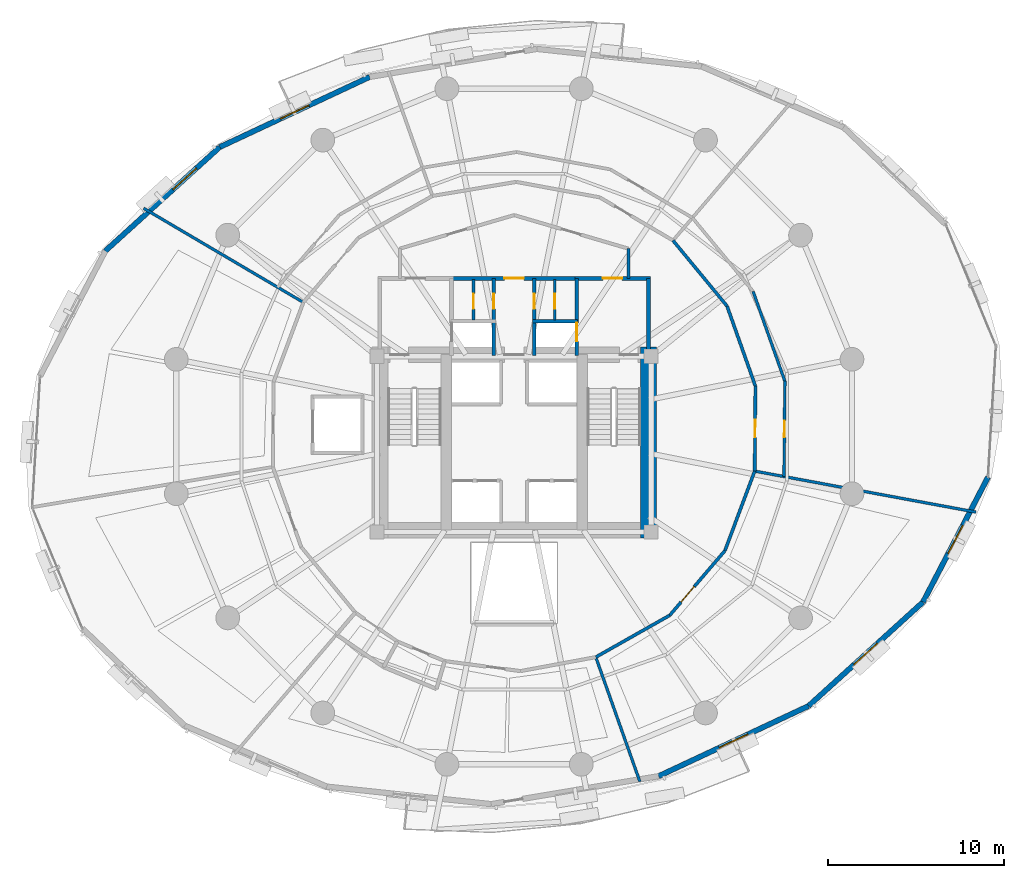
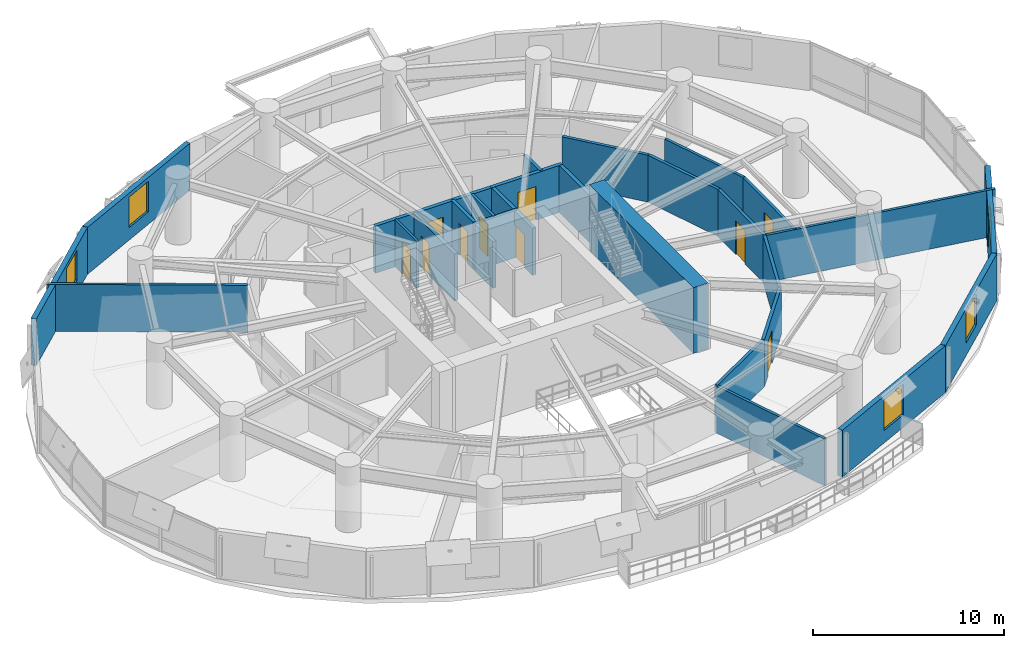
# One storey, part 13 of 17: 27 walls, 10 doors, 5 windows, 15 openings.
"""IFC4 building model written with IfcOpenShell, lengths in metres."""

from ifc_helpers import new_model, si_unit, direction, frame, frame_2d, origin, place, context, subcontext, project, spatial, rectangle, extrude, material, layer, layer_set, type_object, element, fill, save


model = new_model("IFC4")

# Units and contexts
model_context = context("Model", 3, precision=1e-05, world=origin(), true_north=direction((0.0, 1.0)))
body_context = subcontext(model_context, "Body", "Model", "MODEL_VIEW")
ifc_project = project(units=[si_unit("LENGTHUNIT", "METRE"), si_unit("AREAUNIT", "SQUARE_METRE"), si_unit("VOLUMEUNIT", "CUBIC_METRE"), si_unit("PLANEANGLEUNIT", "RADIAN"), si_unit("MASSUNIT", "GRAM", prefix="KILO"), si_unit("THERMODYNAMICTEMPERATUREUNIT", "KELVIN"), si_unit("POWERUNIT", "WATT")], contexts=[model_context])

# Site, building, storey
site_placement = place(None, origin())
site = spatial("IfcSite", under=ifc_project, at=site_placement, CompositionType="ELEMENT")
building_placement = place(site_placement, origin())
building = spatial("IfcBuilding", under=site, at=building_placement, Name="Ocrelia Relay Tower", CompositionType="ELEMENT")
storey_placement = place(building_placement, frame((0.0, 0.0, 72.0)))
storey = spatial("IfcBuildingStorey", under=building, at=storey_placement, Name="L16", CompositionType="ELEMENT", Elevation=72.0)

# Walls
ifc_material_1 = material(Name="Concrete C70/85", Category="concrete")
ifc_layer_1 = layer(ifc_material_1, 0.89990234375, Name="Concrete C70/85")
ifc_layer_set_1 = layer_set([ifc_layer_1], Name="Concrete C70/85")
wall_type_1 = type_object("IfcWallType", Name="CW-CORE-900", PredefinedType="SHEAR", material=ifc_layer_set_1)
wall_1_placement = place(storey_placement, frame((41.637939453125, 19.662109375, 0.0), z_axis=(0.0, 0.0, 1.0), x_axis=(0.0, 1.0, 0.0)))
element("IfcWall", 1, at=wall_1_placement, inside=storey, type_object=wall_type_1, Name="L16 Core Shear Wall E", PredefinedType="SHEAR", context=body_context, shape_type="SweptSolid", body=[
    extrude(rectangle(XDim=10.8759765625, YDim=0.89990234375, at=frame_2d((5.43798828125, 0.0))), origin(), (0.0, 0.0, 1.0), 4.199951171875),
])
ifc_material_2 = material(Name="Gypsum Fireboard Partition EI60", Category="gypsum")
ifc_layer_2 = layer(ifc_material_2, 0.179931640625, Name="Gypsum Fireboard Partition EI60")
ifc_layer_set_2 = layer_set([ifc_layer_2], Name="Gypsum Fireboard Partition EI60")
wall_type_2 = type_object("IfcWallType", Name="W-CORR-EI60-180", PredefinedType="PARTITIONING", material=ifc_layer_set_2)
wall_2_placement = place(storey_placement, frame((40.5, 36.122802734375, 0.0), z_axis=(0.0, 0.0, 1.0), x_axis=(0.0, -1.0, 0.0)))
element("IfcWall", 2, at=wall_2_placement, inside=storey, type_object=wall_type_2, Name="L16 Smoke Lobby East Return", PredefinedType="PARTITIONING", context=body_context, shape_type="SweptSolid", body=[
    extrude(rectangle(XDim=1.69287109375, YDim=0.179931640625, at=frame_2d((0.846435546875, 0.0))), origin(), (0.0, 0.0, 1.0), 3.0),
])
wall_3_placement = place(storey_placement, frame((38.646484375, 12.87841796875, 0.0), z_axis=(0.0, 0.0, 1.0), x_axis=(0.870357726762, 0.492419970621, 0.0)))
element("IfcWall", 3, at=wall_3_placement, inside=storey, type_object=wall_type_2, Name="L16 Colocation Data Hall A Corridor Partition 1", PredefinedType="PARTITIONING", context=body_context, shape_type="SweptSolid", body=[
    extrude(rectangle(XDim=4.83447265625, YDim=0.179931640625, at=frame_2d((2.417236328125, 0.0))), origin(), (0.0, 0.0, 1.0), 3.0),
])

# Wall, opening, door
wall_4_placement = place(storey_placement, frame((42.854248046875, 15.259033203125, 0.0), z_axis=(0.0, 0.0, 1.0), x_axis=(0.649451176298, 0.760403294052, 0.0)))
wall_4 = element("IfcWall", 4, at=wall_4_placement, inside=storey, type_object=wall_type_2, Name="L16 Colocation Data Hall A Corridor Partition 2", PredefinedType="PARTITIONING", context=body_context, shape_type="SweptSolid", body=[
    extrude(rectangle(XDim=4.834228515625, YDim=0.179931640625, at=frame_2d((2.4169921875, 0.0))), origin(), (0.0, 0.0, 1.0), 3.0),
])
opening_1_placement = place(wall_4_placement, frame((0.99609375, 0.0, 0.0)))
opening_1 = element("IfcOpeningElement", 5, at=opening_1_placement, cuts=wall_4, Name="Opening D-RM115", PredefinedType="OPENING", context=body_context, shape_type="SweptSolid", body=[
    extrude(rectangle(XDim=1.14990234375, YDim=2.14990234375, at=frame_2d((0.574951171875, 1.074951171875))), frame((0.0, 0.10009765625, 0.0), z_axis=(0.0, -1.0, 0.0), x_axis=(1.0, 0.0, 0.0)), (0.0, 0.0, 1.0), 0.199951171875),
])
ifc_material_3 = material(Name="Wide acoustic oak veneer fire door", Category="wood")
door_type_1 = type_object("IfcDoorType", Name="DR-ROOM-1150", OperationType="NOTDEFINED", PredefinedType="DOOR", material=ifc_material_3)
door_1_placement = place(opening_1_placement, origin())
door_1 = element("IfcDoor", 6, at=door_1_placement, inside=storey, type_object=door_type_1, Name="L16 Colocation Data Hall A Entrance Door", OperationType="SINGLE_SWING_LEFT", OverallHeight=2.14990234375, OverallWidth=1.14990234375, PredefinedType="DOOR", context=body_context, shape_type="SweptSolid", body=[
    extrude(rectangle(XDim=1.14990234375, YDim=2.14990234375, at=frame_2d((0.574951171875, 1.074951171875))), frame((0.0, 0.02490234375, 0.0), z_axis=(0.0, -1.0, 0.0), x_axis=(1.0, 0.0, 0.0)), (0.0, 0.0, 1.0), 0.050048828125),
])
fill(opening_1, door_1)

# Wall
wall_5_placement = place(storey_placement, frame((45.993896484375, 18.93505859375, 0.0), z_axis=(0.0, 0.0, 1.0), x_axis=(0.350215664948, 0.936669092062, 0.0)))
element("IfcWall", 7, at=wall_5_placement, inside=storey, type_object=wall_type_2, Name="L16 Colocation Data Hall A Corridor Partition 3", PredefinedType="PARTITIONING", context=body_context, shape_type="SweptSolid", body=[
    extrude(rectangle(XDim=4.83447265625, YDim=0.179931640625, at=frame_2d((2.417236328125, 0.0))), origin(), (0.0, 0.0, 1.0), 3.0),
])

# Wall, opening, door
wall_6_placement = place(storey_placement, frame((47.68701171875, 23.46337890625, 0.0), z_axis=(0.0, 0.0, 1.0), x_axis=(0.008686102284, 0.999962275102, 0.0)))
wall_6 = element("IfcWall", 8, at=wall_6_placement, inside=storey, type_object=wall_type_2, Name="L16 Hardware Testing Laboratory Corridor Partition 1", PredefinedType="PARTITIONING", context=body_context, shape_type="SweptSolid", body=[
    extrude(rectangle(XDim=4.83447265625, YDim=0.179931640625, at=frame_2d((2.417236328125, 0.0))), origin(), (0.0, 0.0, 1.0), 3.0),
])
opening_2_placement = place(wall_6_placement, frame((1.917236328125, 0.0, 0.0)))
opening_2 = element("IfcOpeningElement", 9, at=opening_2_placement, cuts=wall_6, Name="Opening D-RM100", PredefinedType="OPENING", context=body_context, shape_type="SweptSolid", body=[
    extrude(rectangle(XDim=1.0, YDim=2.14990234375, at=frame_2d((0.5, 1.074951171875))), frame((0.0, 0.10009765625, 0.0), z_axis=(0.0, -1.0, 0.0), x_axis=(1.0, 0.0, 0.0)), (0.0, 0.0, 1.0), 0.199951171875),
])
ifc_material_4 = material(Name="Acoustic oak veneer fire door", Category="wood")
door_type_2 = type_object("IfcDoorType", Name="DR-ROOM-FD60-1000", OperationType="NOTDEFINED", PredefinedType="DOOR", material=ifc_material_4)
door_2_placement = place(opening_2_placement, origin())
door_2 = element("IfcDoor", 10, at=door_2_placement, inside=storey, type_object=door_type_2, Name="L16 Hardware Testing Laboratory Entrance Door", OperationType="SINGLE_SWING_RIGHT", OverallHeight=2.14990234375, OverallWidth=1.0, PredefinedType="DOOR", context=body_context, shape_type="SweptSolid", body=[
    extrude(rectangle(XDim=1.0, YDim=2.14990234375, at=frame_2d((0.5, 1.074951171875))), frame((0.0, 0.02490234375, 0.0), z_axis=(0.0, -1.0, 0.0), x_axis=(1.0, 0.0, 0.0)), (0.0, 0.0, 1.0), 0.050048828125),
])
fill(opening_2, door_2)

# Walls
wall_7_placement = place(storey_placement, frame((47.72900390625, 28.297607421875, 0.0), z_axis=(0.0, 0.0, 1.0), x_axis=(-0.333778894191, 0.942651393566, 0.0)))
element("IfcWall", 11, at=wall_7_placement, inside=storey, type_object=wall_type_2, Name="L16 Hardware Testing Laboratory Corridor Partition 2", PredefinedType="PARTITIONING", context=body_context, shape_type="SweptSolid", body=[
    extrude(rectangle(XDim=4.834228515625, YDim=0.179931640625, at=frame_2d((2.4169921875, 0.0))), origin(), (0.0, 0.0, 1.0), 3.0),
])
wall_8_placement = place(storey_placement, frame((46.115478515625, 32.8544921875, 0.0), z_axis=(0.0, 0.0, 1.0), x_axis=(-0.636082430418, 0.771621112797, 0.0)))
element("IfcWall", 12, at=wall_8_placement, inside=storey, type_object=wall_type_2, Name="L16 Hardware Testing Laboratory Corridor Partition 3", PredefinedType="PARTITIONING", context=body_context, shape_type="SweptSolid", body=[
    extrude(rectangle(XDim=4.83447265625, YDim=0.179931640625, at=frame_2d((2.417236328125, 0.0))), origin(), (0.0, 0.0, 1.0), 3.0),
])

# Wall, opening, window
ifc_material_5 = material(Name="Precast concrete C40/50 with oxide terracotta", Category="masonry")
ifc_layer_3 = layer(ifc_material_5, 0.300048828125, Name="Precast concrete C40/50 with oxide terracotta")
ifc_layer_set_3 = layer_set([ifc_layer_3], Name="Precast concrete C40/50 with oxide terracotta")
wall_type_3 = type_object("IfcWallType", Name="W-EXT-TERR-300", PredefinedType="SOLIDWALL", material=ifc_layer_set_3)
wall_9_placement = place(storey_placement, frame((25.776611328125, 45.89208984375, 0.0), z_axis=(0.0, 0.0, 1.0), x_axis=(-0.90569382635, -0.423932415499, 0.0)))
wall_9 = element("IfcWall", 13, at=wall_9_placement, inside=storey, type_object=wall_type_3, Name="L16 Oxide Terracotta Facade Wall 06", PredefinedType="SOLIDWALL", context=body_context, shape_type="SweptSolid", body=[
    extrude(rectangle(XDim=9.418701171875, YDim=0.300048828125, at=frame_2d((4.70947265625, 0.0))), origin(), (0.0, 0.0, 1.0), 3.0),
])
opening_3_placement = place(wall_9_placement, frame((3.80908203125, 0.0, 0.800048828125)))
opening_3 = element("IfcOpeningElement", 14, at=opening_3_placement, cuts=wall_9, Name="Opening W-02", PredefinedType="OPENING", context=body_context, shape_type="SweptSolid", body=[
    extrude(rectangle(XDim=1.800048828125, YDim=1.949951171875, at=frame_2d((0.89990234375, 0.97509765625))), frame((0.0, 0.16015625, 0.0), z_axis=(0.0, -1.0, 0.0), x_axis=(1.0, 0.0, 0.0)), (0.0, 0.0, 1.0), 0.320068359375),
])
ifc_material_6 = material(Name="Clear double-glazed low-E glass", Category="glass")
window_type = type_object("IfcWindowType", Name="WIN-Z1-1800x2100", PartitioningType="DOUBLE_PANEL_VERTICAL", PredefinedType="WINDOW", material=ifc_material_6)
window_1_placement = place(opening_3_placement, origin())
window_1 = element("IfcWindow", 15, at=window_1_placement, inside=storey, type_object=window_type, Name="L16 Facade Module Window 06", OverallHeight=1.949951171875, OverallWidth=1.800048828125, PartitioningType="SINGLE_PANEL", PredefinedType="WINDOW", context=body_context, shape_type="SweptSolid", body=[
    extrude(rectangle(XDim=1.800048828125, YDim=1.949951171875, at=frame_2d((0.89990234375, 0.97509765625))), frame((0.0, 0.030029296875, 0.0), z_axis=(0.0, -1.0, 0.0), x_axis=(1.0, 0.0, 0.0)), (0.0, 0.0, 1.0), 0.06005859375),
])
fill(opening_3, window_1)

wall_10_placement = place(storey_placement, frame((17.24609375, 41.899169921875, 0.0), z_axis=(0.0, 0.0, 1.0), x_axis=(-0.74036835803, -0.672201379371, 0.0)))
wall_10 = element("IfcWall", 16, at=wall_10_placement, inside=storey, type_object=wall_type_3, Name="L16 Oxide Terracotta Facade Wall 07", PredefinedType="SOLIDWALL", context=body_context, shape_type="SweptSolid", body=[
    extrude(rectangle(XDim=8.792724609375, YDim=0.300048828125, at=frame_2d((4.396484375, 0.0))), origin(), (0.0, 0.0, 1.0), 3.0),
])
opening_4_placement = place(wall_10_placement, frame((1.7900390625, 0.0, 0.800048828125)))
opening_4 = element("IfcOpeningElement", 17, at=opening_4_placement, cuts=wall_10, Name="Opening W-02", PredefinedType="OPENING", context=body_context, shape_type="SweptSolid", body=[
    extrude(rectangle(XDim=1.800048828125, YDim=1.949951171875, at=frame_2d((0.89990234375, 0.97509765625))), frame((0.0, 0.16015625, 0.0), z_axis=(0.0, -1.0, 0.0), x_axis=(1.0, 0.0, 0.0)), (0.0, 0.0, 1.0), 0.320068359375),
])
window_2_placement = place(opening_4_placement, origin())
window_2 = element("IfcWindow", 18, at=window_2_placement, inside=storey, type_object=window_type, Name="L16 Facade Module Window 07", OverallHeight=1.949951171875, OverallWidth=1.800048828125, PartitioningType="SINGLE_PANEL", PredefinedType="WINDOW", context=body_context, shape_type="SweptSolid", body=[
    extrude(rectangle(XDim=1.800048828125, YDim=1.949951171875, at=frame_2d((0.89990234375, 0.97509765625))), frame((0.0, 0.030029296875, 0.0), z_axis=(0.0, -1.0, 0.0), x_axis=(1.0, 0.0, 0.0)), (0.0, 0.0, 1.0), 0.06005859375),
])
fill(opening_4, window_2)

wall_11_placement = place(storey_placement, frame((42.223388671875, 6.10791015625, 0.0), z_axis=(0.0, 0.0, 1.0), x_axis=(0.90569382635, 0.423932415499, 0.0)))
wall_11 = element("IfcWall", 19, at=wall_11_placement, inside=storey, type_object=wall_type_3, Name="L16 Oxide Terracotta Facade Wall 15", PredefinedType="SOLIDWALL", context=body_context, shape_type="SweptSolid", body=[
    extrude(rectangle(XDim=9.418701171875, YDim=0.300048828125, at=frame_2d((4.70947265625, 0.0))), origin(), (0.0, 0.0, 1.0), 3.0),
])
opening_5_placement = place(wall_11_placement, frame((3.80908203125, 0.0, 0.800048828125)))
opening_5 = element("IfcOpeningElement", 20, at=opening_5_placement, cuts=wall_11, Name="Opening W-02", PredefinedType="OPENING", context=body_context, shape_type="SweptSolid", body=[
    extrude(rectangle(XDim=1.800048828125, YDim=1.949951171875, at=frame_2d((0.89990234375, 0.97509765625))), frame((0.0, 0.16015625, 0.0), z_axis=(0.0, -1.0, 0.0), x_axis=(1.0, 0.0, 0.0)), (0.0, 0.0, 1.0), 0.320068359375),
])
window_3_placement = place(opening_5_placement, origin())
window_3 = element("IfcWindow", 21, at=window_3_placement, inside=storey, type_object=window_type, Name="L16 Facade Module Window 15", OverallHeight=1.949951171875, OverallWidth=1.800048828125, PartitioningType="SINGLE_PANEL", PredefinedType="WINDOW", context=body_context, shape_type="SweptSolid", body=[
    extrude(rectangle(XDim=1.800048828125, YDim=1.949951171875, at=frame_2d((0.89990234375, 0.97509765625))), frame((0.0, 0.030029296875, 0.0), z_axis=(0.0, -1.0, 0.0), x_axis=(1.0, 0.0, 0.0)), (0.0, 0.0, 1.0), 0.06005859375),
])
fill(opening_5, window_3)

wall_12_placement = place(storey_placement, frame((50.75390625, 10.100830078125, 0.0), z_axis=(0.0, 0.0, 1.0), x_axis=(0.74036835803, 0.672201379371, 0.0)))
wall_12 = element("IfcWall", 22, at=wall_12_placement, inside=storey, type_object=wall_type_3, Name="L16 Oxide Terracotta Facade Wall 16", PredefinedType="SOLIDWALL", context=body_context, shape_type="SweptSolid", body=[
    extrude(rectangle(XDim=8.792724609375, YDim=0.300048828125, at=frame_2d((4.396484375, 0.0))), origin(), (0.0, 0.0, 1.0), 3.0),
])
opening_6_placement = place(wall_12_placement, frame((3.49609375, 0.0, 0.800048828125)))
opening_6 = element("IfcOpeningElement", 23, at=opening_6_placement, cuts=wall_12, Name="Opening W-02", PredefinedType="OPENING", context=body_context, shape_type="SweptSolid", body=[
    extrude(rectangle(XDim=1.800048828125, YDim=1.949951171875, at=frame_2d((0.89990234375, 0.97509765625))), frame((0.0, 0.16015625, 0.0), z_axis=(0.0, -1.0, 0.0), x_axis=(1.0, 0.0, 0.0)), (0.0, 0.0, 1.0), 0.320068359375),
])
window_4_placement = place(opening_6_placement, origin())
window_4 = element("IfcWindow", 24, at=window_4_placement, inside=storey, type_object=window_type, Name="L16 Facade Module Window 16", OverallHeight=1.949951171875, OverallWidth=1.800048828125, PartitioningType="SINGLE_PANEL", PredefinedType="WINDOW", context=body_context, shape_type="SweptSolid", body=[
    extrude(rectangle(XDim=1.800048828125, YDim=1.949951171875, at=frame_2d((0.89990234375, 0.97509765625))), frame((0.0, 0.030029296875, 0.0), z_axis=(0.0, -1.0, 0.0), x_axis=(1.0, 0.0, 0.0)), (0.0, 0.0, 1.0), 0.06005859375),
])
fill(opening_6, window_4)

wall_13_placement = place(storey_placement, frame((57.263671875, 16.01123046875, 0.0), z_axis=(0.0, 0.0, 1.0), x_axis=(0.461738888068, 0.887015895712, 0.0)))
wall_13 = element("IfcWall", 25, at=wall_13_placement, inside=storey, type_object=wall_type_3, Name="L16 Oxide Terracotta Facade Wall 17", PredefinedType="SOLIDWALL", context=body_context, shape_type="SweptSolid", body=[
    extrude(rectangle(XDim=8.021484375, YDim=0.300048828125, at=frame_2d((4.0107421875, 0.0))), origin(), (0.0, 0.0, 1.0), 3.0),
])
opening_7_placement = place(wall_13_placement, frame((3.111083984375, 0.0, 0.800048828125)))
opening_7 = element("IfcOpeningElement", 26, at=opening_7_placement, cuts=wall_13, Name="Opening W-02", PredefinedType="OPENING", context=body_context, shape_type="SweptSolid", body=[
    extrude(rectangle(XDim=1.800048828125, YDim=1.949951171875, at=frame_2d((0.89990234375, 0.97509765625))), frame((0.0, 0.16015625, 0.0), z_axis=(0.0, -1.0, 0.0), x_axis=(1.0, 0.0, 0.0)), (0.0, 0.0, 1.0), 0.320068359375),
])
window_5_placement = place(opening_7_placement, origin())
window_5 = element("IfcWindow", 27, at=window_5_placement, inside=storey, type_object=window_type, Name="L16 Facade Module Window 17", OverallHeight=1.949951171875, OverallWidth=1.800048828125, PartitioningType="SINGLE_PANEL", PredefinedType="WINDOW", context=body_context, shape_type="SweptSolid", body=[
    extrude(rectangle(XDim=1.800048828125, YDim=1.949951171875, at=frame_2d((0.89990234375, 0.97509765625))), frame((0.0, 0.030029296875, 0.0), z_axis=(0.0, -1.0, 0.0), x_axis=(1.0, 0.0, 0.0)), (0.0, 0.0, 1.0), 0.06005859375),
])
fill(opening_7, window_5)

# Wall, opening, door
ifc_material_7 = material(Name="Concrete C50/60", Category="concrete")
ifc_layer_4 = layer(ifc_material_7, 0.219970703125, Name="Concrete C50/60")
ifc_layer_set_4 = layer_set([ifc_layer_4], Name="Concrete C50/60")
wall_type_4 = type_object("IfcWallType", Name="W-FFL-EI120-220", PredefinedType="SOLIDWALL", material=ifc_layer_set_4)
wall_14_placement = place(storey_placement, frame((37.56005859375, 30.050048828125, 0.0), z_axis=(0.0, 0.0, 1.0), x_axis=(0.0, 1.0, 0.0)))
wall_14 = element("IfcWall", 28, at=wall_14_placement, inside=storey, type_object=wall_type_4, Name="L16 E Fire Service Lift Lobby West Wall", PredefinedType="SOLIDWALL", context=body_context, shape_type="SweptSolid", body=[
    extrude(rectangle(XDim=4.3798828125, YDim=0.219970703125, at=frame_2d((2.18994140625, 0.0))), origin(), (0.0, 0.0, 1.0), 3.0),
])
opening_8_placement = place(wall_14_placement, frame((0.800048828125, 0.0, 0.0)))
opening_8 = element("IfcOpeningElement", 29, at=opening_8_placement, cuts=wall_14, Name="Opening LD-FFL2", PredefinedType="OPENING", context=body_context, shape_type="SweptSolid", body=[
    extrude(rectangle(XDim=1.050048828125, YDim=2.10009765625, at=frame_2d((0.52490234375, 1.050048828125))), frame((0.0, 0.1201171875, 0.0), z_axis=(0.0, -1.0, 0.0), x_axis=(1.0, 0.0, 0.0)), (0.0, 0.0, 1.0), 0.239990234375),
])
ifc_material_8 = material(Name="Brushed stainless steel S355 lift landing door", Category="steel")
door_type_3 = type_object("IfcDoorType", Name="DR-LIFT-LAND-1050", OperationType="DOUBLE_DOOR_SLIDING", PredefinedType="USERDEFINED", material=ifc_material_8)
door_3_placement = place(opening_8_placement, origin())
door_3 = element("IfcDoor", 30, at=door_3_placement, inside=storey, type_object=door_type_3, Name="L16 Firefighting Lift FFL2 Sliding Landing Door", ObjectType="LANDING DOOR", OperationType="DOUBLE_DOOR_SLIDING", OverallHeight=2.10009765625, OverallWidth=1.050048828125, PredefinedType="USERDEFINED", context=body_context, shape_type="SweptSolid", body=[
    extrude(rectangle(XDim=1.050048828125, YDim=2.10009765625, at=frame_2d((0.52490234375, 1.050048828125))), frame((0.0, 0.02490234375, 0.0), z_axis=(0.0, -1.0, 0.0), x_axis=(1.0, 0.0, 0.0)), (0.0, 0.0, 1.0), 0.050048828125),
])
fill(opening_8, door_3)

# Wall
wall_15_placement = place(storey_placement, frame((41.64990234375, 30.050048828125, 0.0), z_axis=(0.0, 0.0, 1.0), x_axis=(0.0, 1.0, 0.0)))
element("IfcWall", 31, at=wall_15_placement, inside=storey, type_object=wall_type_4, Name="L16 E Fire Service Lift Lobby East Wall", PredefinedType="SOLIDWALL", context=body_context, shape_type="SweptSolid", body=[
    extrude(rectangle(XDim=4.3798828125, YDim=0.219970703125, at=frame_2d((2.18994140625, 0.0))), origin(), (0.0, 0.0, 1.0), 3.0),
])

# Wall, opening, door
wall_16_placement = place(storey_placement, frame((37.449951171875, 34.429931640625, 0.0), z_axis=(0.0, 0.0, 1.0), x_axis=(1.0, 0.0, 0.0)))
wall_16 = element("IfcWall", 32, at=wall_16_placement, inside=storey, type_object=wall_type_4, Name="L16 E Fire Service Lift Lobby North Wall", PredefinedType="SOLIDWALL", context=body_context, shape_type="SweptSolid", body=[
    extrude(rectangle(XDim=4.31005859375, YDim=0.219970703125, at=frame_2d((2.155029296875, 0.0))), origin(), (0.0, 0.0, 1.0), 3.0),
])
opening_9_placement = place(wall_16_placement, frame((1.60009765625, 0.0, 0.0)))
opening_9 = element("IfcOpeningElement", 33, at=opening_9_placement, cuts=wall_16, Name="Opening D-FD60", PredefinedType="OPENING", context=body_context, shape_type="SweptSolid", body=[
    extrude(rectangle(XDim=1.10009765625, YDim=2.14990234375, at=frame_2d((0.550048828125, 1.074951171875))), frame((0.0, 0.1201171875, 0.0), z_axis=(0.0, -1.0, 0.0), x_axis=(1.0, 0.0, 0.0)), (0.0, 0.0, 1.0), 0.239990234375),
])
ifc_material_9 = material(Name="Timber-core 60-min acoustic fire door", Category="wood")
door_type_4 = type_object("IfcDoorType", Name="DR-LOBBY-FD60-1100", OperationType="NOTDEFINED", PredefinedType="DOOR", material=ifc_material_9)
door_4_placement = place(opening_9_placement, origin())
door_4 = element("IfcDoor", 34, at=door_4_placement, inside=storey, type_object=door_type_4, Name="L16 E Fire Service Lift Lobby Exit Door", OperationType="SINGLE_SWING_LEFT", OverallHeight=2.14990234375, OverallWidth=1.10009765625, PredefinedType="DOOR", context=body_context, shape_type="SweptSolid", body=[
    extrude(rectangle(XDim=1.10009765625, YDim=2.14990234375, at=frame_2d((0.550048828125, 1.074951171875))), frame((0.0, 0.02490234375, 0.0), z_axis=(0.0, -1.0, 0.0), x_axis=(1.0, 0.0, 0.0)), (0.0, 0.0, 1.0), 0.050048828125),
])
fill(opening_9, door_4)

wall_17_placement = place(storey_placement, frame((30.43994140625, 34.429931640625, 0.0), z_axis=(0.0, 0.0, 1.0), x_axis=(1.0, 0.0, 0.0)))
wall_17 = element("IfcWall", 35, at=wall_17_placement, inside=storey, type_object=wall_type_4, Name="L16 North Core Vestibule Wall", PredefinedType="SOLIDWALL", context=body_context, shape_type="SweptSolid", body=[
    extrude(rectangle(XDim=7.1201171875, YDim=0.219970703125, at=frame_2d((3.56005859375, 0.0))), origin(), (0.0, 0.0, 1.0), 3.0),
])
opening_10_placement = place(wall_17_placement, frame((3.010009765625, 0.0, 0.0)))
opening_10 = element("IfcOpeningElement", 36, at=opening_10_placement, cuts=wall_17, Name="Opening D-FD60", PredefinedType="OPENING", context=body_context, shape_type="SweptSolid", body=[
    extrude(rectangle(XDim=1.10009765625, YDim=2.14990234375, at=frame_2d((0.550048828125, 1.074951171875))), frame((0.0, 0.1201171875, 0.0), z_axis=(0.0, -1.0, 0.0), x_axis=(1.0, 0.0, 0.0)), (0.0, 0.0, 1.0), 0.239990234375),
])
door_5_placement = place(opening_10_placement, origin())
door_5 = element("IfcDoor", 37, at=door_5_placement, inside=storey, type_object=door_type_4, Name="L16 North Core Vestibule Corridor Door", OperationType="SINGLE_SWING_LEFT", OverallHeight=2.14990234375, OverallWidth=1.10009765625, PredefinedType="DOOR", context=body_context, shape_type="SweptSolid", body=[
    extrude(rectangle(XDim=1.10009765625, YDim=2.14990234375, at=frame_2d((0.550048828125, 1.074951171875))), frame((0.0, 0.02490234375, 0.0), z_axis=(0.0, -1.0, 0.0), x_axis=(1.0, 0.0, 0.0)), (0.0, 0.0, 1.0), 0.050048828125),
])
fill(opening_10, door_5)

ifc_material_10 = material(Name="Acoustic Fireboard Partition EI60", Category="gypsum")
ifc_layer_5 = layer(ifc_material_10, 0.14990234375, Name="Acoustic Fireboard Partition EI60")
ifc_layer_set_5 = layer_set([ifc_layer_5], Name="Acoustic Fireboard Partition EI60")
wall_type_5 = type_object("IfcWallType", Name="W-PART-150", PredefinedType="PARTITIONING", material=ifc_layer_set_5)
wall_18_placement = place(storey_placement, frame((31.68994140625, 32.050048828125, 0.0), z_axis=(0.0, 0.0, 1.0), x_axis=(0.0, 1.0, 0.0)))
wall_18 = element("IfcWall", 38, at=wall_18_placement, inside=storey, type_object=wall_type_5, Name="L16 West Core Support Partition", PredefinedType="PARTITIONING", context=body_context, shape_type="SweptSolid", body=[
    extrude(rectangle(XDim=2.329833984375, YDim=0.14990234375, at=frame_2d((1.1650390625, 0.0))), origin(), (0.0, 0.0, 1.0), 3.0),
])
opening_11_placement = place(wall_18_placement, frame((0.64990234375, 0.0, 0.0)))
opening_11 = element("IfcOpeningElement", 39, at=opening_11_placement, cuts=wall_18, Name="Opening D-RS86", PredefinedType="OPENING", context=body_context, shape_type="SweptSolid", body=[
    extrude(rectangle(XDim=0.860107421875, YDim=2.050048828125, at=frame_2d((0.43017578125, 1.02490234375))), frame((0.0, 0.0849609375, 0.0), z_axis=(0.0, -1.0, 0.0), x_axis=(1.0, 0.0, 0.0)), (0.0, 0.0, 1.0), 0.169921875),
])
ifc_material_11 = material(Name="Steel S355 riser access fire door", Category="steel")
door_type_5 = type_object("IfcDoorType", Name="DR-RISER-TRAP-860", OperationType="NOTDEFINED", PredefinedType="TRAPDOOR", material=ifc_material_11)
door_6_placement = place(opening_11_placement, origin())
door_6 = element("IfcDoor", 40, at=door_6_placement, inside=storey, type_object=door_type_5, Name="L16 West Core Store Connecting Door", OperationType="SINGLE_SWING_RIGHT", OverallHeight=2.050048828125, OverallWidth=0.860107421875, PredefinedType="TRAPDOOR", context=body_context, shape_type="SweptSolid", body=[
    extrude(rectangle(XDim=0.860107421875, YDim=2.050048828125, at=frame_2d((0.43017578125, 1.02490234375))), frame((0.0, 0.02490234375, 0.0), z_axis=(0.0, -1.0, 0.0), x_axis=(1.0, 0.0, 0.0)), (0.0, 0.0, 1.0), 0.050048828125),
])
fill(opening_11, door_6)

wall_19_placement = place(storey_placement, frame((36.31005859375, 32.050048828125, 0.0), z_axis=(0.0, 0.0, 1.0), x_axis=(0.0, 1.0, 0.0)))
wall_19 = element("IfcWall", 41, at=wall_19_placement, inside=storey, type_object=wall_type_5, Name="L16 East Core Support Partition", PredefinedType="PARTITIONING", context=body_context, shape_type="SweptSolid", body=[
    extrude(rectangle(XDim=2.329833984375, YDim=0.14990234375, at=frame_2d((1.1650390625, 0.0))), origin(), (0.0, 0.0, 1.0), 3.0),
])
opening_12_placement = place(wall_19_placement, frame((0.64990234375, 0.0, 0.0)))
opening_12 = element("IfcOpeningElement", 42, at=opening_12_placement, cuts=wall_19, Name="Opening D-RS86", PredefinedType="OPENING", context=body_context, shape_type="SweptSolid", body=[
    extrude(rectangle(XDim=0.860107421875, YDim=2.050048828125, at=frame_2d((0.43017578125, 1.02490234375))), frame((0.0, 0.0849609375, 0.0), z_axis=(0.0, -1.0, 0.0), x_axis=(1.0, 0.0, 0.0)), (0.0, 0.0, 1.0), 0.169921875),
])
door_7_placement = place(opening_12_placement, origin())
door_7 = element("IfcDoor", 43, at=door_7_placement, inside=storey, type_object=door_type_5, Name="L16 East Core Store Connecting Door", OperationType="SINGLE_SWING_LEFT", OverallHeight=2.050048828125, OverallWidth=0.860107421875, PredefinedType="TRAPDOOR", context=body_context, shape_type="SweptSolid", body=[
    extrude(rectangle(XDim=0.860107421875, YDim=2.050048828125, at=frame_2d((0.43017578125, 1.02490234375))), frame((0.0, 0.02490234375, 0.0), z_axis=(0.0, -1.0, 0.0), x_axis=(1.0, 0.0, 0.0)), (0.0, 0.0, 1.0), 0.050048828125),
])
fill(opening_12, door_7)

# Walls
ifc_layer_6 = layer(ifc_material_10, 0.159912109375, Name="Acoustic Fireboard Partition EI60")
ifc_layer_set_6 = layer_set([ifc_layer_6], Name="Acoustic Fireboard Partition EI60")
wall_type_6 = type_object("IfcWallType", Name="W-PART-160", PredefinedType="PARTITIONING", material=ifc_layer_set_6)
wall_20_placement = place(storey_placement, frame((38.646484375, 12.87841796875, 0.0), z_axis=(0.0, 0.0, 1.0), x_axis=(0.333815866185, -0.942638301515, 0.0)))
element("IfcWall", 44, at=wall_20_placement, inside=storey, type_object=wall_type_6, Name="L16 Operations Control Office A Radial Partition", PredefinedType="PARTITIONING", context=body_context, shape_type="SweptSolid", body=[
    extrude(rectangle(XDim=7.513916015625, YDim=0.159912109375, at=frame_2d((3.7568359375, 0.0))), origin(), (0.0, 0.0, 1.0), 3.0),
])
wall_21_placement = place(storey_placement, frame((47.68701171875, 23.46337890625, 0.0), z_axis=(0.0, 0.0, 1.0), x_axis=(0.98325518488, -0.182234029223, 0.0)))
element("IfcWall", 45, at=wall_21_placement, inside=storey, type_object=wall_type_6, Name="L16 Colocation Data Hall A Radial Partition", PredefinedType="PARTITIONING", context=body_context, shape_type="SweptSolid", body=[
    extrude(rectangle(XDim=12.80224609375, YDim=0.159912109375, at=frame_2d((6.401123046875, 0.0))), origin(), (0.0, 0.0, 1.0), 3.0),
])

# Wall, opening, door
wall_22_placement = place(storey_placement, frame((49.3583984375, 23.153564453125, 0.0), z_axis=(0.0, 0.0, 1.0), x_axis=(0.008731326175, 0.999961881245, 0.0)))
wall_22 = element("IfcWall", 46, at=wall_22_placement, inside=storey, type_object=wall_type_6, Name="L16 Perimeter Hardware Testing Laboratory Mid-Ring Partition 1", PredefinedType="PARTITIONING", context=body_context, shape_type="SweptSolid", body=[
    extrude(rectangle(XDim=5.424560546875, YDim=0.159912109375, at=frame_2d((2.71240234375, 0.0))), origin(), (0.0, 0.0, 1.0), 3.0),
])
opening_13_placement = place(wall_22_placement, frame((2.2373046875, 0.0, 0.0)))
opening_13 = element("IfcOpeningElement", 47, at=opening_13_placement, cuts=wall_22, Name="Opening D-RM95", PredefinedType="OPENING", context=body_context, shape_type="SweptSolid", body=[
    extrude(rectangle(XDim=0.949951171875, YDim=2.14990234375, at=frame_2d((0.47509765625, 1.074951171875))), frame((0.0, 0.08984375, 0.0), z_axis=(0.0, -1.0, 0.0), x_axis=(1.0, 0.0, 0.0)), (0.0, 0.0, 1.0), 0.179931640625),
])
door_type_6 = type_object("IfcDoorType", Name="DR-ROOM-950", OperationType="NOTDEFINED", PredefinedType="DOOR", material=ifc_material_4)
door_8_placement = place(opening_13_placement, origin())
door_8 = element("IfcDoor", 48, at=door_8_placement, inside=storey, type_object=door_type_6, Name="L16 Perimeter Hardware Testing Laboratory Connecting Door", OperationType="SINGLE_SWING_LEFT", OverallHeight=2.14990234375, OverallWidth=0.949951171875, PredefinedType="DOOR", context=body_context, shape_type="SweptSolid", body=[
    extrude(rectangle(XDim=0.949951171875, YDim=2.14990234375, at=frame_2d((0.47509765625, 1.074951171875))), frame((0.0, 0.02490234375, 0.0), z_axis=(0.0, -1.0, 0.0), x_axis=(1.0, 0.0, 0.0)), (0.0, 0.0, 1.0), 0.050048828125),
])
fill(opening_13, door_8)

# Walls
wall_23_placement = place(storey_placement, frame((49.40576171875, 28.577880859375, 0.0), z_axis=(0.0, 0.0, 1.0), x_axis=(-0.333792158414, 0.942646696796, 0.0)))
element("IfcWall", 49, at=wall_23_placement, inside=storey, type_object=wall_type_6, Name="L16 Perimeter Hardware Testing Laboratory Mid-Ring Partition 2", PredefinedType="PARTITIONING", context=body_context, shape_type="SweptSolid", body=[
    extrude(rectangle(XDim=5.4248046875, YDim=0.159912109375, at=frame_2d((2.71240234375, 0.0))), origin(), (0.0, 0.0, 1.0), 3.0),
])
wall_24_placement = place(storey_placement, frame((22.006103515625, 33.06494140625, 0.0), z_axis=(0.0, 0.0, 1.0), x_axis=(-0.8616300832, 0.507536796424, 0.0)))
element("IfcWall", 50, at=wall_24_placement, inside=storey, type_object=wall_type_6, Name="L16 Systems Office C Radial Partition", PredefinedType="PARTITIONING", context=body_context, shape_type="SweptSolid", body=[
    extrude(rectangle(XDim=10.550537109375, YDim=0.159912109375, at=frame_2d((5.275390625, 0.0))), origin(), (0.0, 0.0, 1.0), 3.0),
])

# Wall, opening, door
ifc_layer_7 = layer(ifc_material_7, 0.199951171875, Name="Concrete C50/60")
ifc_layer_set_7 = layer_set([ifc_layer_7], Name="Concrete C50/60")
wall_type_7 = type_object("IfcWallType", Name="W-SHAFT-EI120-200", PredefinedType="SOLIDWALL", material=ifc_layer_set_7)
wall_25_placement = place(storey_placement, frame((32.85009765625, 30.050048828125, 0.0), z_axis=(0.0, 0.0, 1.0), x_axis=(0.0, 1.0, 0.0)))
wall_25 = element("IfcWall", 51, at=wall_25_placement, inside=storey, type_object=wall_type_7, Name="L16 FFL1 and Service Vestibule Wall", PredefinedType="SOLIDWALL", context=body_context, shape_type="SweptSolid", body=[
    extrude(rectangle(XDim=4.3798828125, YDim=0.199951171875, at=frame_2d((2.18994140625, 0.0))), origin(), (0.0, 0.0, 1.0), 3.0),
])
opening_14_placement = place(wall_25_placement, frame((2.64990234375, 0.0, 0.0)))
opening_14 = element("IfcOpeningElement", 52, at=opening_14_placement, cuts=wall_25, Name="Opening D-RS86", PredefinedType="OPENING", context=body_context, shape_type="SweptSolid", body=[
    extrude(rectangle(XDim=0.860107421875, YDim=2.050048828125, at=frame_2d((0.43017578125, 1.02490234375))), frame((0.0, 0.10986328125, 0.0), z_axis=(0.0, -1.0, 0.0), x_axis=(1.0, 0.0, 0.0)), (0.0, 0.0, 1.0), 0.219970703125),
])
door_9_placement = place(opening_14_placement, origin())
door_9 = element("IfcDoor", 53, at=door_9_placement, inside=storey, type_object=door_type_5, Name="L16 Core Support Room W Door", OperationType="SINGLE_SWING_RIGHT", OverallHeight=2.050048828125, OverallWidth=0.860107421875, PredefinedType="TRAPDOOR", context=body_context, shape_type="SweptSolid", body=[
    extrude(rectangle(XDim=0.860107421875, YDim=2.050048828125, at=frame_2d((0.43017578125, 1.02490234375))), frame((0.0, 0.02490234375, 0.0), z_axis=(0.0, -1.0, 0.0), x_axis=(1.0, 0.0, 0.0)), (0.0, 0.0, 1.0), 0.050048828125),
])
fill(opening_14, door_9)

# Wall
wall_26_placement = place(storey_placement, frame((35.050048828125, 32.0, 0.0), z_axis=(0.0, 0.0, 1.0), x_axis=(1.0, 0.0, 0.0)))
element("IfcWall", 54, at=wall_26_placement, inside=storey, type_object=wall_type_7, Name="L16 FFL2 Hoistway North Wall", PredefinedType="SOLIDWALL", context=body_context, shape_type="SweptSolid", body=[
    extrude(rectangle(XDim=2.550048828125, YDim=0.199951171875, at=frame_2d((1.27490234375, 0.0))), origin(), (0.0, 0.0, 1.0), 3.0),
])

# Wall, opening, door
wall_27_placement = place(storey_placement, frame((35.14990234375, 30.050048828125, 0.0), z_axis=(0.0, 0.0, 1.0), x_axis=(0.0, 1.0, 0.0)))
wall_27 = element("IfcWall", 55, at=wall_27_placement, inside=storey, type_object=wall_type_7, Name="L16 FFL2 and Service Vestibule Wall", PredefinedType="SOLIDWALL", context=body_context, shape_type="SweptSolid", body=[
    extrude(rectangle(XDim=4.3798828125, YDim=0.199951171875, at=frame_2d((2.18994140625, 0.0))), origin(), (0.0, 0.0, 1.0), 3.0),
])
opening_15_placement = place(wall_27_placement, frame((2.64990234375, 0.0, 0.0)))
opening_15 = element("IfcOpeningElement", 56, at=opening_15_placement, cuts=wall_27, Name="Opening D-RS86", PredefinedType="OPENING", context=body_context, shape_type="SweptSolid", body=[
    extrude(rectangle(XDim=0.860107421875, YDim=2.050048828125, at=frame_2d((0.43017578125, 1.02490234375))), frame((0.0, 0.10986328125, 0.0), z_axis=(0.0, -1.0, 0.0), x_axis=(1.0, 0.0, 0.0)), (0.0, 0.0, 1.0), 0.219970703125),
])
door_10_placement = place(opening_15_placement, origin())
door_10 = element("IfcDoor", 57, at=door_10_placement, inside=storey, type_object=door_type_5, Name="L16 Core Support Room E Door", OperationType="SINGLE_SWING_RIGHT", OverallHeight=2.050048828125, OverallWidth=0.860107421875, PredefinedType="TRAPDOOR", context=body_context, shape_type="SweptSolid", body=[
    extrude(rectangle(XDim=0.860107421875, YDim=2.050048828125, at=frame_2d((0.43017578125, 1.02490234375))), frame((0.0, 0.02490234375, 0.0), z_axis=(0.0, -1.0, 0.0), x_axis=(1.0, 0.0, 0.0)), (0.0, 0.0, 1.0), 0.050048828125),
])
fill(opening_15, door_10)

save(model, "model.ifc")
